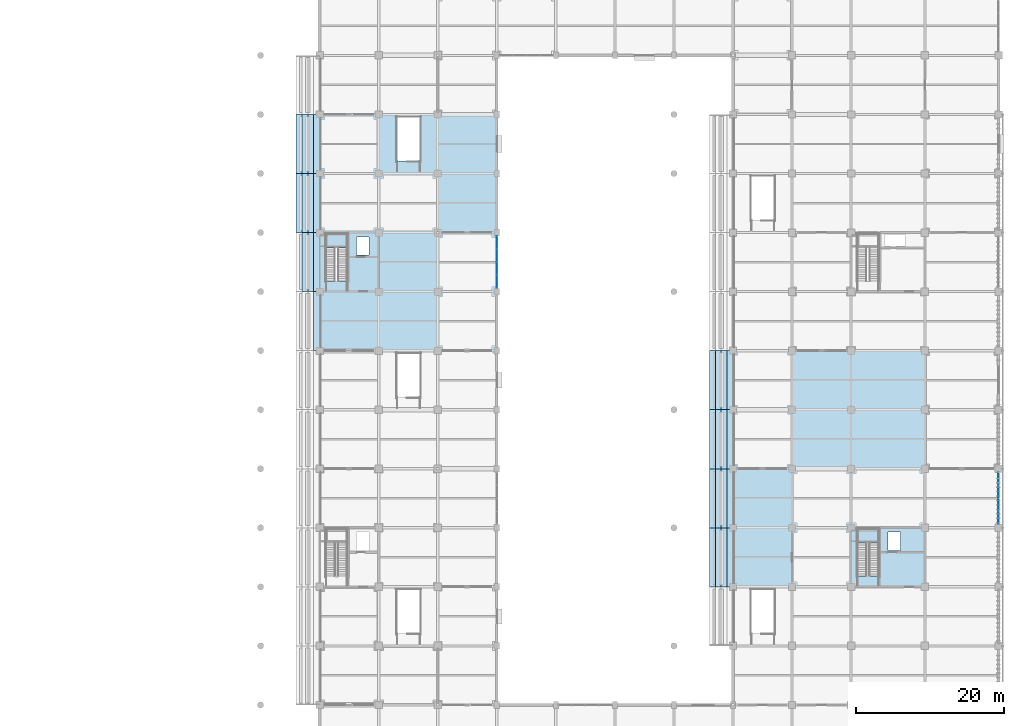
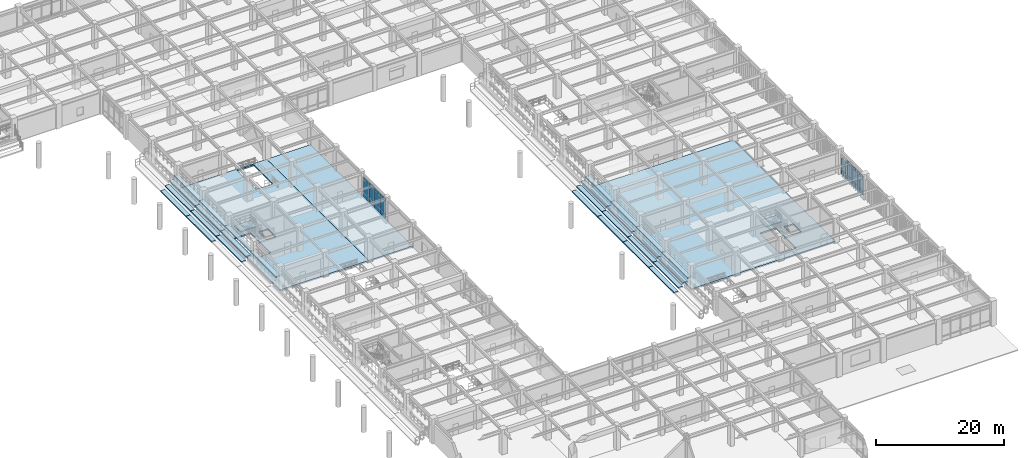
# One storey, part 64 of 117: 33 slabs, 23 plates, 4 elements without a shape of their own.
"""IFC4 building model written with IfcOpenShell, lengths in metres."""

from ifc_helpers import new_model, si_unit, direction, frame, origin, origin_2d, place, context, subcontext, project, spatial, polyline, rectangle, outline, extrude, material, layer, layer_set, type_object, element, aggregate, save


model = new_model("IFC4")

# Units and contexts
model_context = context("Model", 3, precision=1e-05, world=origin(), true_north=direction((0.0, 1.0)))
body_context = subcontext(model_context, "Body", "Model", "MODEL_VIEW")
ifc_project = project(units=[si_unit("LENGTHUNIT", "METRE"), si_unit("AREAUNIT", "SQUARE_METRE"), si_unit("VOLUMEUNIT", "CUBIC_METRE"), si_unit("PLANEANGLEUNIT", "RADIAN"), si_unit("MASSUNIT", "GRAM", prefix="KILO")], contexts=[model_context])

# Site, building, storey
site_placement = place(None, origin())
site = spatial("IfcSite", under=ifc_project, at=site_placement, CompositionType="ELEMENT")
building_placement = place(site_placement, origin())
building = spatial("IfcBuilding", under=site, at=building_placement, Name="Haebicheon Civic Stadium", CompositionType="ELEMENT")
storey_placement = place(building_placement, frame((0.0, 0.0, 4.800048828125)))
storey = spatial("IfcBuildingStorey", under=building, at=storey_placement, Name="L02", CompositionType="ELEMENT", Elevation=4.800048828125)

# Curtain wall, plates
ifc_material_1 = material(Name="Anodised aluminium and laminated glass", Category="aluminium")
ifc_layer_1 = layer(ifc_material_1, 0.179931640625, Name="Anodised aluminium and laminated glass")
ifc_layer_set_1 = layer_set([ifc_layer_1], Name="Anodised aluminium and laminated glass")
curtain_wall_type_1 = type_object("IfcCurtainWallType", Name="CW-7100x3910", PredefinedType="NOTDEFINED", material=ifc_layer_set_1)
curtain_wall_1_placement = place(storey_placement, origin())
curtain_wall_1 = element("IfcCurtainWall", 1, at=curtain_wall_1_placement, inside=storey, type_object=curtain_wall_type_1, material=ifc_layer_set_1, Name="L02 unitised curtain wall 056", PredefinedType="NOTDEFINED")
ifc_material_2 = material(Name="Double low-e laminated glass", Category="glass")
ifc_layer_2 = layer(ifc_material_2, 0.028076171875, Name="Double low-e laminated glass")
ifc_layer_set_2 = layer_set([ifc_layer_2], Name="Double low-e laminated glass")
plate_type_1 = type_object("IfcPlateType", Name="CWP-GLZ-28", PredefinedType="CURTAIN_PANEL", material=ifc_layer_set_2)
plate_1_placement = place(storey_placement, frame((168.0, 105.35498046875, 0.93505859375), z_axis=(0.0, 0.0, 1.0), x_axis=(0.0, 1.0, 0.0)))
plate_1 = element("IfcPlate", 2, at=plate_1_placement, type_object=plate_type_1, material=ifc_layer_set_2, Name="CW-L02-056 vision panel 1.2", PredefinedType="CURTAIN_PANEL", context=body_context, shape_type="SweptSolid", body=[
    extrude(rectangle(XDim=1.669921875, YDim=0.028076171875, at=origin_2d()), origin(), (0.0, 0.0, 1.0), 2.389892578125),
])
plate_2_placement = place(storey_placement, frame((168.0, 107.112060546875, 0.93505859375), z_axis=(0.0, 0.0, 1.0), x_axis=(0.0, 1.0, 0.0)))
plate_2 = element("IfcPlate", 3, at=plate_2_placement, type_object=plate_type_1, material=ifc_layer_set_2, Name="CW-L02-056 vision panel 2.2", PredefinedType="CURTAIN_PANEL", context=body_context, shape_type="SweptSolid", body=[
    extrude(rectangle(XDim=1.705078125, YDim=0.028076171875, at=origin_2d()), origin(), (0.0, 0.0, 1.0), 2.389892578125),
])
plate_3_placement = place(storey_placement, frame((168.0, 108.887939453125, 0.93505859375), z_axis=(0.0, 0.0, 1.0), x_axis=(0.0, 1.0, 0.0)))
plate_3 = element("IfcPlate", 4, at=plate_3_placement, type_object=plate_type_1, material=ifc_layer_set_2, Name="CW-L02-056 vision panel 3.2", PredefinedType="CURTAIN_PANEL", context=body_context, shape_type="SweptSolid", body=[
    extrude(rectangle(XDim=1.705078125, YDim=0.028076171875, at=origin_2d()), origin(), (0.0, 0.0, 1.0), 2.389892578125),
])
plate_4_placement = place(storey_placement, frame((168.0, 110.64501953125, 0.93505859375), z_axis=(0.0, 0.0, 1.0), x_axis=(0.0, 1.0, 0.0)))
plate_4 = element("IfcPlate", 5, at=plate_4_placement, type_object=plate_type_1, material=ifc_layer_set_2, Name="CW-L02-056 vision panel 4.2", PredefinedType="CURTAIN_PANEL", context=body_context, shape_type="SweptSolid", body=[
    extrude(rectangle(XDim=1.669921875, YDim=0.028076171875, at=origin_2d()), origin(), (0.0, 0.0, 1.0), 2.389892578125),
])

ifc_material_3 = material(Name="Anodised aluminium and laminated glass", Category="aluminium")
ifc_layer_3 = layer(ifc_material_3, 0.179931640625, Name="Anodised aluminium and laminated glass")
ifc_layer_set_3 = layer_set([ifc_layer_3], Name="Anodised aluminium and laminated glass")
curtain_wall_type_2 = type_object("IfcCurtainWallType", Name="CW-7000x3810", PredefinedType="NOTDEFINED", material=ifc_layer_set_3)
curtain_wall_2_placement = place(storey_placement, origin())
curtain_wall_2 = element("IfcCurtainWall", 6, at=curtain_wall_2_placement, inside=storey, type_object=curtain_wall_type_2, material=ifc_layer_set_3, Name="L02 unitised curtain wall 066", PredefinedType="NOTDEFINED")
plate_5_placement = place(storey_placement, frame((236.0, 73.39208984375, 0.934814453125), z_axis=(0.0, 0.0, 1.0), x_axis=(0.0, 1.0, 0.0)))
plate_5 = element("IfcPlate", 7, at=plate_5_placement, type_object=plate_type_1, material=ifc_layer_set_2, Name="CW-L02-066 vision panel 1.2", PredefinedType="CURTAIN_PANEL", context=body_context, shape_type="SweptSolid", body=[
    extrude(rectangle(XDim=1.64501953125, YDim=0.028076171875, at=origin_2d()), origin(), (0.0, 0.0, 1.0), 2.2900390625),
])
plate_6_placement = place(storey_placement, frame((236.0, 75.125, 0.934814453125), z_axis=(0.0, 0.0, 1.0), x_axis=(0.0, 1.0, 0.0)))
plate_6 = element("IfcPlate", 8, at=plate_6_placement, type_object=plate_type_1, material=ifc_layer_set_2, Name="CW-L02-066 vision panel 2.2", PredefinedType="CURTAIN_PANEL", context=body_context, shape_type="SweptSolid", body=[
    extrude(rectangle(XDim=1.679931640625, YDim=0.028076171875, at=origin_2d()), origin(), (0.0, 0.0, 1.0), 2.2900390625),
])
plate_7_placement = place(storey_placement, frame((236.0, 76.875, 0.934814453125), z_axis=(0.0, 0.0, 1.0), x_axis=(0.0, 1.0, 0.0)))
plate_7 = element("IfcPlate", 9, at=plate_7_placement, type_object=plate_type_1, material=ifc_layer_set_2, Name="CW-L02-066 vision panel 3.2", PredefinedType="CURTAIN_PANEL", context=body_context, shape_type="SweptSolid", body=[
    extrude(rectangle(XDim=1.679931640625, YDim=0.028076171875, at=origin_2d()), origin(), (0.0, 0.0, 1.0), 2.2900390625),
])
plate_8_placement = place(storey_placement, frame((236.0, 78.60791015625, 0.934814453125), z_axis=(0.0, 0.0, 1.0), x_axis=(0.0, 1.0, 0.0)))
plate_8 = element("IfcPlate", 10, at=plate_8_placement, type_object=plate_type_1, material=ifc_layer_set_2, Name="CW-L02-066 vision panel 4.2", PredefinedType="CURTAIN_PANEL", context=body_context, shape_type="SweptSolid", body=[
    extrude(rectangle(XDim=1.64501953125, YDim=0.028076171875, at=origin_2d()), origin(), (0.0, 0.0, 1.0), 2.2900390625),
])

# Plate
ifc_material_4 = material(Name="Anodised aluminium 6063-T6", Category="aluminium")
ifc_layer_4 = layer(ifc_material_4, 0.053955078125, Name="Anodised aluminium 6063-T6")
ifc_layer_set_4 = layer_set([ifc_layer_4], Name="Anodised aluminium 6063-T6")
plate_type_2 = type_object("IfcPlateType", Name="CWP-SPD-54", PredefinedType="CURTAIN_PANEL", material=ifc_layer_set_4)
plate_9_placement = place(storey_placement, frame((168.0, 105.35498046875, 0.034912109375), z_axis=(0.0, 0.0, 1.0), x_axis=(0.0, 1.0, 0.0)))
plate_9 = element("IfcPlate", 11, at=plate_9_placement, type_object=plate_type_2, material=ifc_layer_set_4, Name="CW-L02-056 spandrel panel 1.1", PredefinedType="CURTAIN_PANEL", context=body_context, shape_type="SweptSolid", body=[
    extrude(rectangle(XDim=1.669921875, YDim=0.053955078125, at=origin_2d()), origin(), (0.0, 0.0, 1.0), 0.830078125),
])

plate_10_placement = place(storey_placement, frame((168.0, 105.35498046875, 3.39501953125), z_axis=(0.0, 0.0, 1.0), x_axis=(0.0, 1.0, 0.0)))
plate_10 = element("IfcPlate", 12, at=plate_10_placement, type_object=plate_type_2, material=ifc_layer_set_4, Name="CW-L02-056 spandrel panel 1.3", PredefinedType="CURTAIN_PANEL", context=body_context, shape_type="SweptSolid", body=[
    extrude(rectangle(XDim=1.669921875, YDim=0.053955078125, at=origin_2d()), origin(), (0.0, 0.0, 1.0), 0.47998046875),
])

plate_11_placement = place(storey_placement, frame((168.0, 107.112060546875, 0.034912109375), z_axis=(0.0, 0.0, 1.0), x_axis=(0.0, 1.0, 0.0)))
plate_11 = element("IfcPlate", 13, at=plate_11_placement, type_object=plate_type_2, material=ifc_layer_set_4, Name="CW-L02-056 spandrel panel 2.1", PredefinedType="CURTAIN_PANEL", context=body_context, shape_type="SweptSolid", body=[
    extrude(rectangle(XDim=1.705078125, YDim=0.053955078125, at=origin_2d()), origin(), (0.0, 0.0, 1.0), 0.830078125),
])

plate_12_placement = place(storey_placement, frame((168.0, 107.112060546875, 3.39501953125), z_axis=(0.0, 0.0, 1.0), x_axis=(0.0, 1.0, 0.0)))
plate_12 = element("IfcPlate", 14, at=plate_12_placement, type_object=plate_type_2, material=ifc_layer_set_4, Name="CW-L02-056 spandrel panel 2.3", PredefinedType="CURTAIN_PANEL", context=body_context, shape_type="SweptSolid", body=[
    extrude(rectangle(XDim=1.705078125, YDim=0.053955078125, at=origin_2d()), origin(), (0.0, 0.0, 1.0), 0.47998046875),
])

plate_13_placement = place(storey_placement, frame((168.0, 108.887939453125, 0.034912109375), z_axis=(0.0, 0.0, 1.0), x_axis=(0.0, 1.0, 0.0)))
plate_13 = element("IfcPlate", 15, at=plate_13_placement, type_object=plate_type_2, material=ifc_layer_set_4, Name="CW-L02-056 spandrel panel 3.1", PredefinedType="CURTAIN_PANEL", context=body_context, shape_type="SweptSolid", body=[
    extrude(rectangle(XDim=1.705078125, YDim=0.053955078125, at=origin_2d()), origin(), (0.0, 0.0, 1.0), 0.830078125),
])

plate_14_placement = place(storey_placement, frame((168.0, 108.887939453125, 3.39501953125), z_axis=(0.0, 0.0, 1.0), x_axis=(0.0, 1.0, 0.0)))
plate_14 = element("IfcPlate", 16, at=plate_14_placement, type_object=plate_type_2, material=ifc_layer_set_4, Name="CW-L02-056 spandrel panel 3.3", PredefinedType="CURTAIN_PANEL", context=body_context, shape_type="SweptSolid", body=[
    extrude(rectangle(XDim=1.705078125, YDim=0.053955078125, at=origin_2d()), origin(), (0.0, 0.0, 1.0), 0.47998046875),
])

plate_15_placement = place(storey_placement, frame((168.0, 110.64501953125, 0.034912109375), z_axis=(0.0, 0.0, 1.0), x_axis=(0.0, 1.0, 0.0)))
plate_15 = element("IfcPlate", 17, at=plate_15_placement, type_object=plate_type_2, material=ifc_layer_set_4, Name="CW-L02-056 spandrel panel 4.1", PredefinedType="CURTAIN_PANEL", context=body_context, shape_type="SweptSolid", body=[
    extrude(rectangle(XDim=1.669921875, YDim=0.053955078125, at=origin_2d()), origin(), (0.0, 0.0, 1.0), 0.830078125),
])

plate_16_placement = place(storey_placement, frame((168.0, 110.64501953125, 3.39501953125), z_axis=(0.0, 0.0, 1.0), x_axis=(0.0, 1.0, 0.0)))
plate_16 = element("IfcPlate", 18, at=plate_16_placement, type_object=plate_type_2, material=ifc_layer_set_4, Name="CW-L02-056 spandrel panel 4.3", PredefinedType="CURTAIN_PANEL", context=body_context, shape_type="SweptSolid", body=[
    extrude(rectangle(XDim=1.669921875, YDim=0.053955078125, at=origin_2d()), origin(), (0.0, 0.0, 1.0), 0.47998046875),
])

aggregate(curtain_wall_1, [plate_9, plate_1, plate_10, plate_11, plate_2, plate_12, plate_13, plate_3, plate_14, plate_15, plate_4, plate_16])

plate_17_placement = place(storey_placement, frame((236.0, 73.39208984375, 0.034912109375), z_axis=(0.0, 0.0, 1.0), x_axis=(0.0, 1.0, 0.0)))
plate_17 = element("IfcPlate", 19, at=plate_17_placement, type_object=plate_type_2, material=ifc_layer_set_4, Name="CW-L02-066 spandrel panel 1.1", PredefinedType="CURTAIN_PANEL", context=body_context, shape_type="SweptSolid", body=[
    extrude(rectangle(XDim=1.64501953125, YDim=0.053955078125, at=origin_2d()), origin(), (0.0, 0.0, 1.0), 0.830078125),
])

plate_18_placement = place(storey_placement, frame((236.0, 73.39208984375, 3.294921875), z_axis=(0.0, 0.0, 1.0), x_axis=(0.0, 1.0, 0.0)))
plate_18 = element("IfcPlate", 20, at=plate_18_placement, type_object=plate_type_2, material=ifc_layer_set_4, Name="CW-L02-066 spandrel panel 1.3", PredefinedType="CURTAIN_PANEL", context=body_context, shape_type="SweptSolid", body=[
    extrude(rectangle(XDim=1.64501953125, YDim=0.053955078125, at=origin_2d()), origin(), (0.0, 0.0, 1.0), 0.47998046875),
])

plate_19_placement = place(storey_placement, frame((236.0, 75.125, 0.034912109375), z_axis=(0.0, 0.0, 1.0), x_axis=(0.0, 1.0, 0.0)))
plate_19 = element("IfcPlate", 21, at=plate_19_placement, type_object=plate_type_2, material=ifc_layer_set_4, Name="CW-L02-066 spandrel panel 2.1", PredefinedType="CURTAIN_PANEL", context=body_context, shape_type="SweptSolid", body=[
    extrude(rectangle(XDim=1.679931640625, YDim=0.053955078125, at=origin_2d()), origin(), (0.0, 0.0, 1.0), 0.830078125),
])

plate_20_placement = place(storey_placement, frame((236.0, 75.125, 3.294921875), z_axis=(0.0, 0.0, 1.0), x_axis=(0.0, 1.0, 0.0)))
plate_20 = element("IfcPlate", 22, at=plate_20_placement, type_object=plate_type_2, material=ifc_layer_set_4, Name="CW-L02-066 spandrel panel 2.3", PredefinedType="CURTAIN_PANEL", context=body_context, shape_type="SweptSolid", body=[
    extrude(rectangle(XDim=1.679931640625, YDim=0.053955078125, at=origin_2d()), origin(), (0.0, 0.0, 1.0), 0.47998046875),
])

plate_21_placement = place(storey_placement, frame((236.0, 76.875, 0.034912109375), z_axis=(0.0, 0.0, 1.0), x_axis=(0.0, 1.0, 0.0)))
plate_21 = element("IfcPlate", 23, at=plate_21_placement, type_object=plate_type_2, material=ifc_layer_set_4, Name="CW-L02-066 spandrel panel 3.1", PredefinedType="CURTAIN_PANEL", context=body_context, shape_type="SweptSolid", body=[
    extrude(rectangle(XDim=1.679931640625, YDim=0.053955078125, at=origin_2d()), origin(), (0.0, 0.0, 1.0), 0.830078125),
])

plate_22_placement = place(storey_placement, frame((236.0, 76.875, 3.294921875), z_axis=(0.0, 0.0, 1.0), x_axis=(0.0, 1.0, 0.0)))
plate_22 = element("IfcPlate", 24, at=plate_22_placement, type_object=plate_type_2, material=ifc_layer_set_4, Name="CW-L02-066 spandrel panel 3.3", PredefinedType="CURTAIN_PANEL", context=body_context, shape_type="SweptSolid", body=[
    extrude(rectangle(XDim=1.679931640625, YDim=0.053955078125, at=origin_2d()), origin(), (0.0, 0.0, 1.0), 0.47998046875),
])

plate_23_placement = place(storey_placement, frame((236.0, 78.60791015625, 0.034912109375), z_axis=(0.0, 0.0, 1.0), x_axis=(0.0, 1.0, 0.0)))
plate_23 = element("IfcPlate", 25, at=plate_23_placement, type_object=plate_type_2, material=ifc_layer_set_4, Name="CW-L02-066 spandrel panel 4.1", PredefinedType="CURTAIN_PANEL", context=body_context, shape_type="SweptSolid", body=[
    extrude(rectangle(XDim=1.64501953125, YDim=0.053955078125, at=origin_2d()), origin(), (0.0, 0.0, 1.0), 0.830078125),
])

aggregate(curtain_wall_2, [plate_17, plate_5, plate_18, plate_19, plate_6, plate_20, plate_21, plate_7, plate_22, plate_23, plate_8])

# Slabs
ifc_material_5 = material(Name="Concrete C40/50", Category="concrete")
ifc_layer_5 = layer(ifc_material_5, 0.280029296875, Name="Concrete C40/50")
ifc_layer_set_5 = layer_set([ifc_layer_5], Name="Concrete C40/50")
slab_type_1 = type_object("IfcSlabType", Name="SLB-FLR-280", PredefinedType="FLOOR", material=ifc_layer_set_5)
slab_1_placement = place(storey_placement, frame((0.0, 0.0, -0.280029296875)))
element("IfcSlab", 26, at=slab_1_placement, inside=storey, type_object=slab_type_1, material=ifc_layer_set_5, Name="L02 V2 structural slab 10.1", PredefinedType="FLOOR", context=body_context, shape_type="SweptSolid", body=[
    extrude(outline(polyline([(144.0, 112.0), (144.0, 120.0), (144.0, 128.0), (152.0, 128.0), (160.0, 128.0), (160.0, 120.0), (160.0, 112.0), (160.0, 104.0), (160.0, 96.0), (152.0, 96.0), (144.0, 96.0), (144.0, 104.0), (144.0, 112.0)]), holes=[polyline([(144.840087890625, 105.4599609375), (147.739990234375, 105.4599609375), (147.739990234375, 111.840087890625), (144.840087890625, 111.840087890625), (144.840087890625, 105.4599609375)]), polyline([(148.969970703125, 108.929931640625), (150.669921875, 108.929931640625), (150.669921875, 111.429931640625), (148.969970703125, 111.429931640625), (148.969970703125, 108.929931640625)]), polyline([(154.4599609375, 121.699951171875), (157.5, 121.699951171875), (157.5, 127.699951171875), (154.4599609375, 127.699951171875), (154.4599609375, 121.699951171875)])]), origin(), (0.0, 0.0, 1.0), 0.280029296875),
])
slab_2_placement = place(storey_placement, frame((0.0, 0.0, -0.280029296875)))
element("IfcSlab", 27, at=slab_2_placement, inside=storey, type_object=slab_type_1, material=ifc_layer_set_5, Name="L02 V3 structural slab 2.1", PredefinedType="FLOOR", context=body_context, shape_type="SweptSolid", body=[
    extrude(outline(polyline([(200.0, 80.0), (200.0, 88.0), (200.0, 96.0), (208.0, 96.0), (216.0, 96.0), (226.0, 96.0), (226.0, 88.0), (226.0, 80.0), (226.0, 72.0), (226.0, 64.0), (216.0, 64.0), (208.0, 64.0), (200.0, 64.0), (200.0, 72.0), (200.0, 80.0)]), holes=[polyline([(216.840087890625, 65.4599609375), (219.739990234375, 65.4599609375), (219.739990234375, 71.840087890625), (216.840087890625, 71.840087890625), (216.840087890625, 65.4599609375)]), polyline([(220.969970703125, 68.929931640625), (222.669921875, 68.929931640625), (222.669921875, 71.429931640625), (220.969970703125, 71.429931640625), (220.969970703125, 68.929931640625)])]), origin(), (0.0, 0.0, 1.0), 0.280029296875),
])
slab_3_placement = place(storey_placement, frame((0.0, 0.0, -0.280029296875)))
element("IfcSlab", 28, at=slab_3_placement, inside=storey, type_object=slab_type_1, material=ifc_layer_set_5, Name="L02 V4 structural slab 7.1", PredefinedType="FLOOR", context=body_context, shape_type="SweptSolid", body=[
    extrude(outline(polyline([(160.0, 96.0), (160.0, 104.0), (160.0, 112.0), (160.0, 120.0), (160.0, 128.0), (168.0, 128.0), (168.0, 120.0), (168.0, 112.0), (168.0, 104.0), (168.0, 96.0), (160.0, 96.0)])), origin(), (0.0, 0.0, 1.0), 0.280029296875),
])

# Stair, slab
ifc_material_6 = material(Name="Concrete C40/50", Category="concrete")
stair_type_1 = type_object("IfcStairType", Name="STR-DL-W126-H48", PredefinedType="HALF_TURN_STAIR", material=ifc_material_6)
stair_1_placement = place(storey_placement, origin())
stair_1 = element("IfcStair", 29, at=stair_1_placement, inside=storey, type_object=stair_type_1, material=ifc_material_6, Name="L02 Escape stair ST-11", PredefinedType="HALF_TURN_STAIR")
ifc_material_7 = material(Name="Concrete C40/50", Category="concrete")
ifc_layer_6 = layer(ifc_material_7, 0.199951171875, Name="Concrete C40/50")
ifc_layer_set_6 = layer_set([ifc_layer_6], Name="Concrete C40/50")
slab_type_2 = type_object("IfcSlabType", Name="SLB-LND-200", PredefinedType="LANDING", material=ifc_layer_set_6)
slab_4_placement = place(storey_placement, frame((0.0, 0.0, 2.199951171875)))
slab_4 = element("IfcSlab", 30, at=slab_4_placement, type_object=slab_type_2, material=ifc_layer_set_6, Name="ST-11 landing 1", PredefinedType="LANDING", context=body_context, shape_type="SweptSolid", body=[
    extrude(outline(polyline([(147.739990234375, 109.949951171875), (147.739990234375, 111.840087890625), (144.840087890625, 111.840087890625), (144.840087890625, 109.949951171875), (147.739990234375, 109.949951171875)])), origin(), (0.0, 0.0, 1.0), 0.199951171875),
])
aggregate(stair_1, [slab_4])

ifc_material_8 = material(Name="Concrete C40/50", Category="concrete")
stair_type_2 = type_object("IfcStairType", Name="STR-DL-W128-H48", PredefinedType="HALF_TURN_STAIR", material=ifc_material_8)
stair_2_placement = place(storey_placement, origin())
stair_2 = element("IfcStair", 31, at=stair_2_placement, inside=storey, type_object=stair_type_2, material=ifc_material_8, Name="L02 Escape stair ST-12", PredefinedType="HALF_TURN_STAIR")
slab_5_placement = place(storey_placement, frame((0.0, 0.0, 2.199951171875)))
slab_5 = element("IfcSlab", 32, at=slab_5_placement, type_object=slab_type_2, material=ifc_layer_set_6, Name="ST-12 landing 1", PredefinedType="LANDING", context=body_context, shape_type="SweptSolid", body=[
    extrude(outline(polyline([(219.739990234375, 69.949951171875), (219.739990234375, 71.840087890625), (216.840087890625, 71.840087890625), (216.840087890625, 69.949951171875), (219.739990234375, 69.949951171875)])), origin(), (0.0, 0.0, 1.0), 0.199951171875),
])
aggregate(stair_2, [slab_5])

# Slabs
ifc_material_9 = material(Name="Precast concrete C40/50", Category="concrete")
ifc_layer_7 = layer(ifc_material_9, 0.239990234375, Name="Precast concrete C40/50")
ifc_layer_set_7 = layer_set([ifc_layer_7], Name="Precast concrete C40/50")
slab_type_3 = type_object("IfcSlabType", Name="SLB-TIER-240", PredefinedType="USERDEFINED", material=ifc_layer_set_7)
slab_6_placement = place(storey_placement, frame((0.0, 0.0, 2.56005859375)))
element("IfcSlab", 33, at=slab_6_placement, inside=storey, type_object=slab_type_3, material=ifc_layer_set_7, Name="TIER-E-L precast seating tier bay 7 row-band 10", ObjectType="SEATING TIER", PredefinedType="USERDEFINED", context=body_context, shape_type="SweptSolid", body=[
    extrude(outline(polyline([(143.199951171875, 96.0), (144.0, 96.0), (144.0, 104.0), (143.199951171875, 104.0), (143.199951171875, 96.0)])), origin(), (0.0, 0.0, 1.0), 0.239990234375),
])
slab_7_placement = place(storey_placement, frame((0.0, 0.0, 1.137939453125)))
element("IfcSlab", 34, at=slab_7_placement, inside=storey, type_object=slab_type_3, material=ifc_layer_set_7, Name="TIER-E-L precast seating tier bay 8 row-band 8", ObjectType="SEATING TIER", PredefinedType="USERDEFINED", context=body_context, shape_type="SweptSolid", body=[
    extrude(outline(polyline([(141.60009765625, 104.0), (142.39990234375, 104.0), (142.39990234375, 112.0), (141.60009765625, 112.0), (141.60009765625, 104.0)])), origin(), (0.0, 0.0, 1.0), 0.239990234375),
])
slab_8_placement = place(storey_placement, frame((0.0, 0.0, 1.848876953125)))
element("IfcSlab", 35, at=slab_8_placement, inside=storey, type_object=slab_type_3, material=ifc_layer_set_7, Name="TIER-E-L precast seating tier bay 8 row-band 9", ObjectType="SEATING TIER", PredefinedType="USERDEFINED", context=body_context, shape_type="SweptSolid", body=[
    extrude(outline(polyline([(142.39990234375, 104.0), (143.199951171875, 104.0), (143.199951171875, 112.0), (142.39990234375, 112.0), (142.39990234375, 104.0)])), origin(), (0.0, 0.0, 1.0), 0.239990234375),
])
slab_9_placement = place(storey_placement, frame((0.0, 0.0, 2.56005859375)))
element("IfcSlab", 36, at=slab_9_placement, inside=storey, type_object=slab_type_3, material=ifc_layer_set_7, Name="TIER-E-L precast seating tier bay 8 row-band 10", ObjectType="SEATING TIER", PredefinedType="USERDEFINED", context=body_context, shape_type="SweptSolid", body=[
    extrude(outline(polyline([(143.199951171875, 104.0), (144.0, 104.0), (144.0, 112.0), (143.199951171875, 112.0), (143.199951171875, 104.0)])), origin(), (0.0, 0.0, 1.0), 0.239990234375),
])
slab_10_placement = place(storey_placement, frame((0.0, 0.0, 0.427001953125)))
element("IfcSlab", 37, at=slab_10_placement, inside=storey, type_object=slab_type_3, material=ifc_layer_set_7, Name="TIER-E-L precast seating tier bay 9 row-band 7", ObjectType="SEATING TIER", PredefinedType="USERDEFINED", context=body_context, shape_type="SweptSolid", body=[
    extrude(outline(polyline([(140.800048828125, 112.0), (141.60009765625, 112.0), (141.60009765625, 120.0), (140.800048828125, 120.0), (140.800048828125, 112.0)])), origin(), (0.0, 0.0, 1.0), 0.239990234375),
])
slab_11_placement = place(storey_placement, frame((0.0, 0.0, 1.137939453125)))
element("IfcSlab", 38, at=slab_11_placement, inside=storey, type_object=slab_type_3, material=ifc_layer_set_7, Name="TIER-E-L precast seating tier bay 9 row-band 8", ObjectType="SEATING TIER", PredefinedType="USERDEFINED", context=body_context, shape_type="SweptSolid", body=[
    extrude(outline(polyline([(141.60009765625, 112.0), (142.39990234375, 112.0), (142.39990234375, 120.0), (141.60009765625, 120.0), (141.60009765625, 112.0)])), origin(), (0.0, 0.0, 1.0), 0.239990234375),
])
slab_12_placement = place(storey_placement, frame((0.0, 0.0, 1.848876953125)))
element("IfcSlab", 39, at=slab_12_placement, inside=storey, type_object=slab_type_3, material=ifc_layer_set_7, Name="TIER-E-L precast seating tier bay 9 row-band 9", ObjectType="SEATING TIER", PredefinedType="USERDEFINED", context=body_context, shape_type="SweptSolid", body=[
    extrude(outline(polyline([(142.39990234375, 112.0), (143.199951171875, 112.0), (143.199951171875, 120.0), (142.39990234375, 120.0), (142.39990234375, 112.0)])), origin(), (0.0, 0.0, 1.0), 0.239990234375),
])
slab_13_placement = place(storey_placement, frame((0.0, 0.0, 2.56005859375)))
element("IfcSlab", 40, at=slab_13_placement, inside=storey, type_object=slab_type_3, material=ifc_layer_set_7, Name="TIER-E-L precast seating tier bay 9 row-band 10", ObjectType="SEATING TIER", PredefinedType="USERDEFINED", context=body_context, shape_type="SweptSolid", body=[
    extrude(outline(polyline([(143.199951171875, 112.0), (144.0, 112.0), (144.0, 120.0), (143.199951171875, 120.0), (143.199951171875, 112.0)])), origin(), (0.0, 0.0, 1.0), 0.239990234375),
])
slab_14_placement = place(storey_placement, frame((0.0, 0.0, 0.427001953125)))
element("IfcSlab", 41, at=slab_14_placement, inside=storey, type_object=slab_type_3, material=ifc_layer_set_7, Name="TIER-E-L precast seating tier bay 10 row-band 7", ObjectType="SEATING TIER", PredefinedType="USERDEFINED", context=body_context, shape_type="SweptSolid", body=[
    extrude(outline(polyline([(140.800048828125, 120.0), (141.60009765625, 120.0), (141.60009765625, 128.0), (140.800048828125, 128.0), (140.800048828125, 120.0)])), origin(), (0.0, 0.0, 1.0), 0.239990234375),
])
slab_15_placement = place(storey_placement, frame((0.0, 0.0, 1.137939453125)))
element("IfcSlab", 42, at=slab_15_placement, inside=storey, type_object=slab_type_3, material=ifc_layer_set_7, Name="TIER-E-L precast seating tier bay 10 row-band 8", ObjectType="SEATING TIER", PredefinedType="USERDEFINED", context=body_context, shape_type="SweptSolid", body=[
    extrude(outline(polyline([(141.60009765625, 120.0), (142.39990234375, 120.0), (142.39990234375, 128.0), (141.60009765625, 128.0), (141.60009765625, 120.0)])), origin(), (0.0, 0.0, 1.0), 0.239990234375),
])
slab_16_placement = place(storey_placement, frame((0.0, 0.0, 1.848876953125)))
element("IfcSlab", 43, at=slab_16_placement, inside=storey, type_object=slab_type_3, material=ifc_layer_set_7, Name="TIER-E-L precast seating tier bay 10 row-band 9", ObjectType="SEATING TIER", PredefinedType="USERDEFINED", context=body_context, shape_type="SweptSolid", body=[
    extrude(outline(polyline([(142.39990234375, 120.0), (143.199951171875, 120.0), (143.199951171875, 128.0), (142.39990234375, 128.0), (142.39990234375, 120.0)])), origin(), (0.0, 0.0, 1.0), 0.239990234375),
])
slab_17_placement = place(storey_placement, frame((0.0, 0.0, 2.56005859375)))
element("IfcSlab", 44, at=slab_17_placement, inside=storey, type_object=slab_type_3, material=ifc_layer_set_7, Name="TIER-E-L precast seating tier bay 10 row-band 10", ObjectType="SEATING TIER", PredefinedType="USERDEFINED", context=body_context, shape_type="SweptSolid", body=[
    extrude(outline(polyline([(143.199951171875, 120.0), (144.0, 120.0), (144.0, 128.0), (143.199951171875, 128.0), (143.199951171875, 120.0)])), origin(), (0.0, 0.0, 1.0), 0.239990234375),
])
slab_18_placement = place(storey_placement, frame((0.0, 0.0, 0.159912109375)))
element("IfcSlab", 45, at=slab_18_placement, inside=storey, type_object=slab_type_3, material=ifc_layer_set_7, Name="TIER-C-L precast seating tier bay 2 row-band 7", ObjectType="SEATING TIER", PredefinedType="USERDEFINED", context=body_context, shape_type="SweptSolid", body=[
    extrude(outline(polyline([(196.800048828125, 64.0), (197.60009765625, 64.0), (197.60009765625, 72.0), (196.800048828125, 72.0), (196.800048828125, 64.0)])), origin(), (0.0, 0.0, 1.0), 0.239990234375),
])
slab_19_placement = place(storey_placement, frame((0.0, 0.0, 0.826904296875)))
element("IfcSlab", 46, at=slab_19_placement, inside=storey, type_object=slab_type_3, material=ifc_layer_set_7, Name="TIER-C-L precast seating tier bay 2 row-band 8", ObjectType="SEATING TIER", PredefinedType="USERDEFINED", context=body_context, shape_type="SweptSolid", body=[
    extrude(outline(polyline([(197.60009765625, 64.0), (198.39990234375, 64.0), (198.39990234375, 72.0), (197.60009765625, 72.0), (197.60009765625, 64.0)])), origin(), (0.0, 0.0, 1.0), 0.239990234375),
])
slab_20_placement = place(storey_placement, frame((0.0, 0.0, 1.492919921875)))
element("IfcSlab", 47, at=slab_20_placement, inside=storey, type_object=slab_type_3, material=ifc_layer_set_7, Name="TIER-C-L precast seating tier bay 2 row-band 9", ObjectType="SEATING TIER", PredefinedType="USERDEFINED", context=body_context, shape_type="SweptSolid", body=[
    extrude(outline(polyline([(198.39990234375, 64.0), (199.199951171875, 64.0), (199.199951171875, 72.0), (198.39990234375, 72.0), (198.39990234375, 64.0)])), origin(), (0.0, 0.0, 1.0), 0.239990234375),
])
slab_21_placement = place(storey_placement, frame((0.0, 0.0, 2.159912109375)))
element("IfcSlab", 48, at=slab_21_placement, inside=storey, type_object=slab_type_3, material=ifc_layer_set_7, Name="TIER-C-L precast seating tier bay 2 row-band 10", ObjectType="SEATING TIER", PredefinedType="USERDEFINED", context=body_context, shape_type="SweptSolid", body=[
    extrude(outline(polyline([(199.199951171875, 64.0), (200.0, 64.0), (200.0, 72.0), (199.199951171875, 72.0), (199.199951171875, 64.0)])), origin(), (0.0, 0.0, 1.0), 0.239990234375),
])
slab_22_placement = place(storey_placement, frame((0.0, 0.0, 0.159912109375)))
element("IfcSlab", 49, at=slab_22_placement, inside=storey, type_object=slab_type_3, material=ifc_layer_set_7, Name="TIER-C-L precast seating tier bay 3 row-band 7", ObjectType="SEATING TIER", PredefinedType="USERDEFINED", context=body_context, shape_type="SweptSolid", body=[
    extrude(outline(polyline([(196.800048828125, 72.0), (197.60009765625, 72.0), (197.60009765625, 80.0), (196.800048828125, 80.0), (196.800048828125, 72.0)])), origin(), (0.0, 0.0, 1.0), 0.239990234375),
])
slab_23_placement = place(storey_placement, frame((0.0, 0.0, 0.826904296875)))
element("IfcSlab", 50, at=slab_23_placement, inside=storey, type_object=slab_type_3, material=ifc_layer_set_7, Name="TIER-C-L precast seating tier bay 3 row-band 8", ObjectType="SEATING TIER", PredefinedType="USERDEFINED", context=body_context, shape_type="SweptSolid", body=[
    extrude(outline(polyline([(197.60009765625, 72.0), (198.39990234375, 72.0), (198.39990234375, 80.0), (197.60009765625, 80.0), (197.60009765625, 72.0)])), origin(), (0.0, 0.0, 1.0), 0.239990234375),
])
slab_24_placement = place(storey_placement, frame((0.0, 0.0, 1.492919921875)))
element("IfcSlab", 51, at=slab_24_placement, inside=storey, type_object=slab_type_3, material=ifc_layer_set_7, Name="TIER-C-L precast seating tier bay 3 row-band 9", ObjectType="SEATING TIER", PredefinedType="USERDEFINED", context=body_context, shape_type="SweptSolid", body=[
    extrude(outline(polyline([(198.39990234375, 72.0), (199.199951171875, 72.0), (199.199951171875, 80.0), (198.39990234375, 80.0), (198.39990234375, 72.0)])), origin(), (0.0, 0.0, 1.0), 0.239990234375),
])
slab_25_placement = place(storey_placement, frame((0.0, 0.0, 2.159912109375)))
element("IfcSlab", 52, at=slab_25_placement, inside=storey, type_object=slab_type_3, material=ifc_layer_set_7, Name="TIER-C-L precast seating tier bay 3 row-band 10", ObjectType="SEATING TIER", PredefinedType="USERDEFINED", context=body_context, shape_type="SweptSolid", body=[
    extrude(outline(polyline([(199.199951171875, 72.0), (200.0, 72.0), (200.0, 80.0), (199.199951171875, 80.0), (199.199951171875, 72.0)])), origin(), (0.0, 0.0, 1.0), 0.239990234375),
])
slab_26_placement = place(storey_placement, frame((0.0, 0.0, 0.159912109375)))
element("IfcSlab", 53, at=slab_26_placement, inside=storey, type_object=slab_type_3, material=ifc_layer_set_7, Name="TIER-C-L precast seating tier bay 4 row-band 7", ObjectType="SEATING TIER", PredefinedType="USERDEFINED", context=body_context, shape_type="SweptSolid", body=[
    extrude(outline(polyline([(196.800048828125, 80.0), (197.60009765625, 80.0), (197.60009765625, 88.0), (196.800048828125, 88.0), (196.800048828125, 80.0)])), origin(), (0.0, 0.0, 1.0), 0.239990234375),
])
slab_27_placement = place(storey_placement, frame((0.0, 0.0, 0.826904296875)))
element("IfcSlab", 54, at=slab_27_placement, inside=storey, type_object=slab_type_3, material=ifc_layer_set_7, Name="TIER-C-L precast seating tier bay 4 row-band 8", ObjectType="SEATING TIER", PredefinedType="USERDEFINED", context=body_context, shape_type="SweptSolid", body=[
    extrude(outline(polyline([(197.60009765625, 80.0), (198.39990234375, 80.0), (198.39990234375, 88.0), (197.60009765625, 88.0), (197.60009765625, 80.0)])), origin(), (0.0, 0.0, 1.0), 0.239990234375),
])
slab_28_placement = place(storey_placement, frame((0.0, 0.0, 1.492919921875)))
element("IfcSlab", 55, at=slab_28_placement, inside=storey, type_object=slab_type_3, material=ifc_layer_set_7, Name="TIER-C-L precast seating tier bay 4 row-band 9", ObjectType="SEATING TIER", PredefinedType="USERDEFINED", context=body_context, shape_type="SweptSolid", body=[
    extrude(outline(polyline([(198.39990234375, 80.0), (199.199951171875, 80.0), (199.199951171875, 88.0), (198.39990234375, 88.0), (198.39990234375, 80.0)])), origin(), (0.0, 0.0, 1.0), 0.239990234375),
])
slab_29_placement = place(storey_placement, frame((0.0, 0.0, 2.159912109375)))
element("IfcSlab", 56, at=slab_29_placement, inside=storey, type_object=slab_type_3, material=ifc_layer_set_7, Name="TIER-C-L precast seating tier bay 4 row-band 10", ObjectType="SEATING TIER", PredefinedType="USERDEFINED", context=body_context, shape_type="SweptSolid", body=[
    extrude(outline(polyline([(199.199951171875, 80.0), (200.0, 80.0), (200.0, 88.0), (199.199951171875, 88.0), (199.199951171875, 80.0)])), origin(), (0.0, 0.0, 1.0), 0.239990234375),
])
slab_30_placement = place(storey_placement, frame((0.0, 0.0, 0.159912109375)))
element("IfcSlab", 57, at=slab_30_placement, inside=storey, type_object=slab_type_3, material=ifc_layer_set_7, Name="TIER-C-L precast seating tier bay 5 row-band 7", ObjectType="SEATING TIER", PredefinedType="USERDEFINED", context=body_context, shape_type="SweptSolid", body=[
    extrude(outline(polyline([(196.800048828125, 88.0), (197.60009765625, 88.0), (197.60009765625, 96.0), (196.800048828125, 96.0), (196.800048828125, 88.0)])), origin(), (0.0, 0.0, 1.0), 0.239990234375),
])
slab_31_placement = place(storey_placement, frame((0.0, 0.0, 0.826904296875)))
element("IfcSlab", 58, at=slab_31_placement, inside=storey, type_object=slab_type_3, material=ifc_layer_set_7, Name="TIER-C-L precast seating tier bay 5 row-band 8", ObjectType="SEATING TIER", PredefinedType="USERDEFINED", context=body_context, shape_type="SweptSolid", body=[
    extrude(outline(polyline([(197.60009765625, 88.0), (198.39990234375, 88.0), (198.39990234375, 96.0), (197.60009765625, 96.0), (197.60009765625, 88.0)])), origin(), (0.0, 0.0, 1.0), 0.239990234375),
])
slab_32_placement = place(storey_placement, frame((0.0, 0.0, 1.492919921875)))
element("IfcSlab", 59, at=slab_32_placement, inside=storey, type_object=slab_type_3, material=ifc_layer_set_7, Name="TIER-C-L precast seating tier bay 5 row-band 9", ObjectType="SEATING TIER", PredefinedType="USERDEFINED", context=body_context, shape_type="SweptSolid", body=[
    extrude(outline(polyline([(198.39990234375, 88.0), (199.199951171875, 88.0), (199.199951171875, 96.0), (198.39990234375, 96.0), (198.39990234375, 88.0)])), origin(), (0.0, 0.0, 1.0), 0.239990234375),
])
slab_33_placement = place(storey_placement, frame((0.0, 0.0, 2.159912109375)))
element("IfcSlab", 60, at=slab_33_placement, inside=storey, type_object=slab_type_3, material=ifc_layer_set_7, Name="TIER-C-L precast seating tier bay 5 row-band 10", ObjectType="SEATING TIER", PredefinedType="USERDEFINED", context=body_context, shape_type="SweptSolid", body=[
    extrude(outline(polyline([(199.199951171875, 88.0), (200.0, 88.0), (200.0, 96.0), (199.199951171875, 96.0), (199.199951171875, 88.0)])), origin(), (0.0, 0.0, 1.0), 0.239990234375),
])

save(model, "model.ifc")
